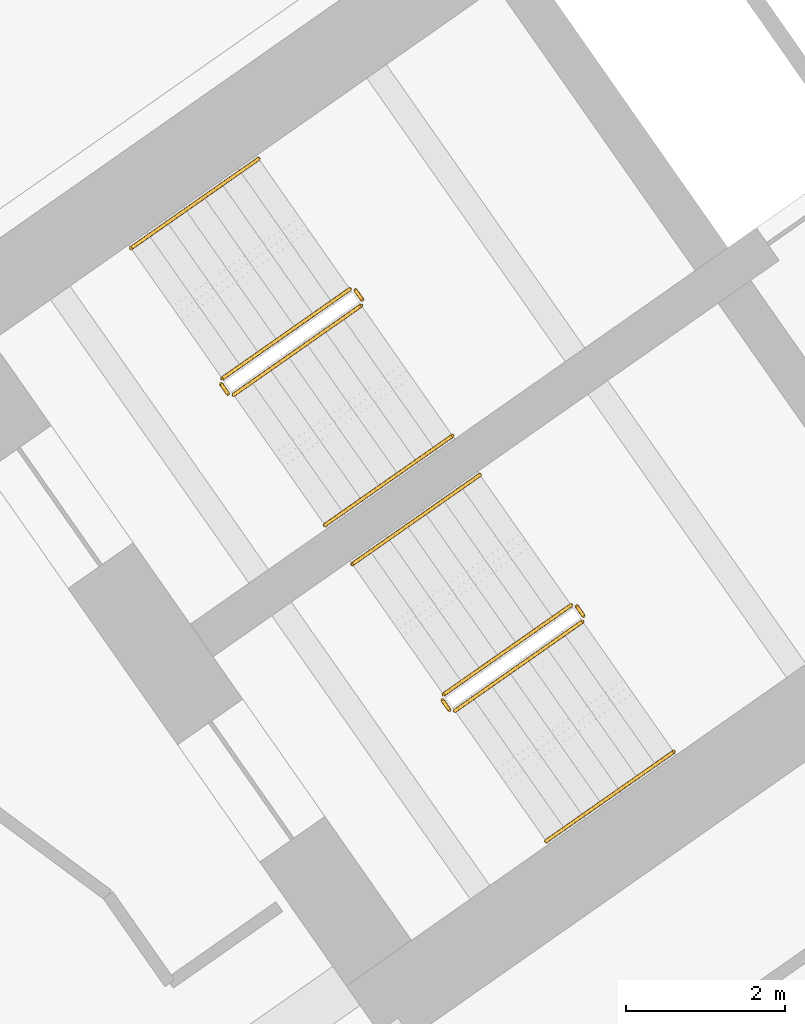
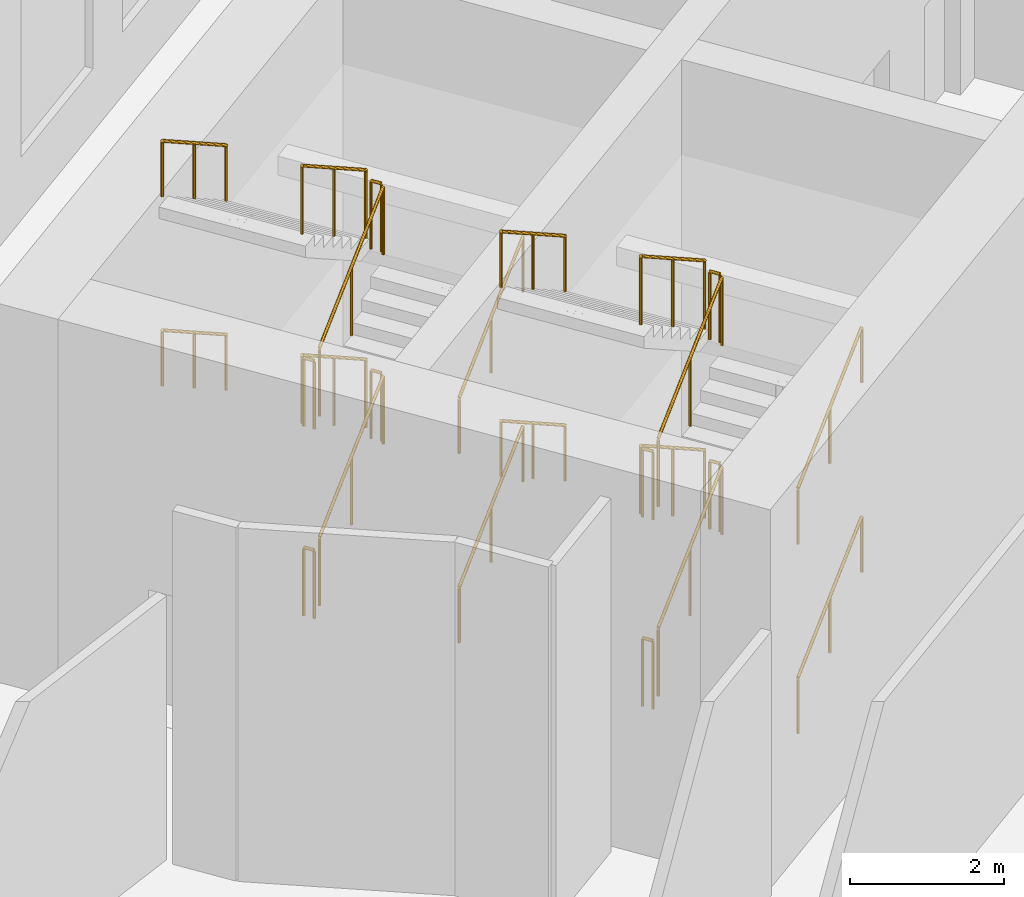
# One storey, part 23 of 25: 24 railings.
"""IFC4 building model written with IfcOpenShell, lengths in metres."""

from ifc_helpers import new_model, si_unit, direction, frame, origin, origin_2d, place, context, subcontext, project, spatial, circle, extrude, material, type_object, element, save


model = new_model("IFC4")

# Units and contexts
model_context = context("Model", 3, precision=1e-05, world=origin(), true_north=direction((0.0, 1.0)))
body_context = subcontext(model_context, "Body", "Model", "MODEL_VIEW")
ifc_project = project(units=[si_unit("LENGTHUNIT", "METRE"), si_unit("AREAUNIT", "SQUARE_METRE"), si_unit("VOLUMEUNIT", "CUBIC_METRE"), si_unit("PLANEANGLEUNIT", "RADIAN"), si_unit("MASSUNIT", "GRAM", prefix="KILO")], contexts=[model_context])

# Site, building, storey
site_placement = place(None, origin())
site = spatial("IfcSite", under=ifc_project, at=site_placement, CompositionType="ELEMENT")
building_placement = place(site_placement, origin())
building = spatial("IfcBuilding", under=site, at=building_placement, Name="Tel Ilan Convention Tower", CompositionType="ELEMENT")
storey_placement = place(building_placement, frame((0.0, 0.0, 26.0)))
storey = spatial("IfcBuildingStorey", under=building, at=storey_placement, Name="L03", CompositionType="ELEMENT", Elevation=26.0)

# Railings
ifc_material_1 = material(Name="Stainless Steel Grade 316", Category="steel")
railing_type_1 = type_object("IfcRailingType", Name="Stainless Steel Stair Guard 1100 mm", PredefinedType="GUARDRAIL", material=ifc_material_1)
railing_1_placement = place(storey_placement, frame((-23.535400390625, -8.056396484375, 0.1875)))
element("IfcRailing", 1, at=railing_1_placement, inside=storey, type_object=railing_type_1, Name="L03 S1 stair guard 1", PredefinedType="GUARDRAIL", context=body_context, shape_type="SweptSolid", body=[
    extrude(circle(Radius=0.02392578125, at=origin_2d()), frame((0.0, 0.0, 1.076171875), z_axis=(0.680615610069, 0.476617226942, 0.556415681224), x_axis=(-0.573612813533, 0.819126571508, 0.0)), (0.0, 0.0, 1.0), 2.35888671875),
    extrude(circle(Radius=0.02099609375, at=origin_2d()), origin(), (0.0, 0.0, 1.0), 1.052001953125),
    extrude(circle(Radius=0.02099609375, at=origin_2d()), frame((0.802734375, 0.56201171875, 0.65625)), (0.0, 0.0, 1.0), 1.052001953125),
    extrude(circle(Radius=0.02099609375, at=origin_2d()), frame((1.60546875, 1.124267578125, 1.3125)), (0.0, 0.0, 1.0), 1.052001953125),
])
railing_2_placement = place(storey_placement, frame((-21.91748046875, -6.862548828125, 1.5)))
element("IfcRailing", 2, at=railing_2_placement, inside=storey, type_object=railing_type_1, Name="L03 S1 stair guard 2", PredefinedType="GUARDRAIL", context=body_context, shape_type="SweptSolid", body=[
    extrude(circle(Radius=0.02392578125, at=origin_2d()), frame((0.0, 0.0, 1.076171875), z_axis=(-0.57368046593, 0.819079192149, 0.0), x_axis=(-0.819079192149, -0.57368046593, 0.0)), (0.0, 0.0, 1.0), 0.150146484375),
    extrude(circle(Radius=0.02099609375, at=origin_2d()), origin(), (0.0, 0.0, 1.0), 1.052001953125),
    extrude(circle(Radius=0.02099609375, at=origin_2d()), frame((-0.086181640625, 0.123046875, 0.0)), (0.0, 0.0, 1.0), 1.052001953125),
])
railing_3_placement = place(storey_placement, frame((-22.0732421875, -6.727294921875, 1.6875)))
element("IfcRailing", 3, at=railing_3_placement, inside=storey, type_object=railing_type_1, Name="L03 S1 stair guard 3", PredefinedType="GUARDRAIL", context=body_context, shape_type="SweptSolid", body=[
    extrude(circle(Radius=0.02392578125, at=origin_2d()), frame((0.0, 0.0, 1.076171875), z_axis=(-0.680615610069, -0.476617226942, 0.556415681224), x_axis=(0.573612813533, -0.819126571508, 0.0)), (0.0, 0.0, 1.0), 2.35888671875),
    extrude(circle(Radius=0.02099609375, at=origin_2d()), origin(), (0.0, 0.0, 1.0), 1.052001953125),
    extrude(circle(Radius=0.02099609375, at=origin_2d()), frame((-0.802734375, -0.56201171875, 0.65625)), (0.0, 0.0, 1.0), 1.052001953125),
    extrude(circle(Radius=0.02099609375, at=origin_2d()), frame((-1.60546875, -1.124267578125, 1.3125)), (0.0, 0.0, 1.0), 1.052001953125),
])
railing_4_placement = place(storey_placement, frame((-23.60498046875, -8.0439453125, 3.0)))
element("IfcRailing", 4, at=railing_4_placement, inside=storey, type_object=railing_type_1, Name="L03 S1 stair guard 4", PredefinedType="GUARDRAIL", context=body_context, shape_type="SweptSolid", body=[
    extrude(circle(Radius=0.02392578125, at=origin_2d()), frame((0.0, 0.0, 1.076171875), z_axis=(-0.574444878118, 0.818543268254, 0.0), x_axis=(-0.818543268254, -0.574444878118, 0.0)), (0.0, 0.0, 1.0), 0.150146484375),
    extrude(circle(Radius=0.02099609375, at=origin_2d()), origin(), (0.0, 0.0, 1.0), 1.052001953125),
    extrude(circle(Radius=0.02099609375, at=origin_2d()), frame((-0.086181640625, 0.122802734375, 0.0)), (0.0, 0.0, 1.0), 1.052001953125),
])
railing_5_placement = place(storey_placement, frame((-23.535400390625, -8.056396484375, 3.1875)))
element("IfcRailing", 5, at=railing_5_placement, inside=storey, type_object=railing_type_1, Name="L03 S1 stair guard 5", PredefinedType="GUARDRAIL", context=body_context, shape_type="SweptSolid", body=[
    extrude(circle(Radius=0.02392578125, at=origin_2d()), frame((0.0, 0.0, 1.076171875), z_axis=(0.680615610069, 0.476617226942, 0.556415681224), x_axis=(-0.573612813533, 0.819126571508, 0.0)), (0.0, 0.0, 1.0), 2.35888671875),
    extrude(circle(Radius=0.02099609375, at=origin_2d()), origin(), (0.0, 0.0, 1.0), 1.052001953125),
    extrude(circle(Radius=0.02099609375, at=origin_2d()), frame((0.802734375, 0.56201171875, 0.65625)), (0.0, 0.0, 1.0), 1.052001953125),
    extrude(circle(Radius=0.02099609375, at=origin_2d()), frame((1.60546875, 1.124267578125, 1.3125)), (0.0, 0.0, 1.0), 1.052001953125),
])
railing_6_placement = place(storey_placement, frame((-21.91748046875, -6.862548828125, 4.5)))
element("IfcRailing", 6, at=railing_6_placement, inside=storey, type_object=railing_type_1, Name="L03 S1 stair guard 6", PredefinedType="GUARDRAIL", context=body_context, shape_type="SweptSolid", body=[
    extrude(circle(Radius=0.02392578125, at=origin_2d()), frame((0.0, 0.0, 1.076171875), z_axis=(-0.57368046593, 0.819079192149, 0.0), x_axis=(-0.819079192149, -0.57368046593, 0.0)), (0.0, 0.0, 1.0), 0.150146484375),
    extrude(circle(Radius=0.02099609375, at=origin_2d()), origin(), (0.0, 0.0, 1.0), 1.052001953125),
    extrude(circle(Radius=0.02099609375, at=origin_2d()), frame((-0.086181640625, 0.123046875, 0.0)), (0.0, 0.0, 1.0), 1.052001953125),
])
railing_7_placement = place(storey_placement, frame((-22.0732421875, -6.727294921875, 4.6875)))
element("IfcRailing", 7, at=railing_7_placement, inside=storey, type_object=railing_type_1, Name="L03 S1 stair guard 7", PredefinedType="GUARDRAIL", context=body_context, shape_type="SweptSolid", body=[
    extrude(circle(Radius=0.02392578125, at=origin_2d()), frame((0.0, 0.0, 1.076171875), z_axis=(-0.680615610069, -0.476617226942, 0.556415681224), x_axis=(0.573612813533, -0.819126571508, 0.0)), (0.0, 0.0, 1.0), 2.35888671875),
    extrude(circle(Radius=0.02099609375, at=origin_2d()), origin(), (0.0, 0.0, 1.0), 1.052001953125),
    extrude(circle(Radius=0.02099609375, at=origin_2d()), frame((-0.802734375, -0.56201171875, 0.65625)), (0.0, 0.0, 1.0), 1.052001953125),
    extrude(circle(Radius=0.02099609375, at=origin_2d()), frame((-1.60546875, -1.124267578125, 1.3125)), (0.0, 0.0, 1.0), 1.052001953125),
])
railing_8_placement = place(storey_placement, frame((-23.60498046875, -8.0439453125, 0.0)))
element("IfcRailing", 8, at=railing_8_placement, inside=storey, type_object=railing_type_1, Name="L03 S1 stair guard 8", PredefinedType="GUARDRAIL", context=body_context, shape_type="SweptSolid", body=[
    extrude(circle(Radius=0.02392578125, at=origin_2d()), frame((0.0, 0.0, 1.076171875), z_axis=(-0.574444878118, 0.818543268254, 0.0), x_axis=(-0.818543268254, -0.574444878118, 0.0)), (0.0, 0.0, 1.0), 0.150146484375),
    extrude(circle(Radius=0.02099609375, at=origin_2d()), origin(), (0.0, 0.0, 1.0), 1.052001953125),
    extrude(circle(Radius=0.02099609375, at=origin_2d()), frame((-0.086181640625, 0.122802734375, 0.0)), (0.0, 0.0, 1.0), 1.052001953125),
])
railing_9_placement = place(storey_placement, frame((-20.753662109375, -12.029296875, 0.1875)))
element("IfcRailing", 9, at=railing_9_placement, inside=storey, type_object=railing_type_1, Name="L03 S2 stair guard 1", PredefinedType="GUARDRAIL", context=body_context, shape_type="SweptSolid", body=[
    extrude(circle(Radius=0.02392578125, at=origin_2d()), frame((0.0, 0.0, 1.076171875), z_axis=(0.680671159075, 0.476583653268, 0.55637648642), x_axis=(-0.573554290663, 0.819167550421, 0.0)), (0.0, 0.0, 1.0), 2.359130859375),
    extrude(circle(Radius=0.02099609375, at=origin_2d()), origin(), (0.0, 0.0, 1.0), 1.052001953125),
    extrude(circle(Radius=0.02099609375, at=origin_2d()), frame((0.802734375, 0.56201171875, 0.65625)), (0.0, 0.0, 1.0), 1.052001953125),
    extrude(circle(Radius=0.02099609375, at=origin_2d()), frame((1.605712890625, 1.124267578125, 1.3125)), (0.0, 0.0, 1.0), 1.052001953125),
])
railing_10_placement = place(storey_placement, frame((-19.1357421875, -10.83544921875, 1.5)))
element("IfcRailing", 10, at=railing_10_placement, inside=storey, type_object=railing_type_1, Name="L03 S2 stair guard 2", PredefinedType="GUARDRAIL", context=body_context, shape_type="SweptSolid", body=[
    extrude(circle(Radius=0.02392578125, at=origin_2d()), frame((0.0, 0.0, 1.076171875), z_axis=(-0.572588637393, 0.819842821722, 0.0), x_axis=(-0.819842821722, -0.572588637393, 0.0)), (0.0, 0.0, 1.0), 0.150146484375),
    extrude(circle(Radius=0.02099609375, at=origin_2d()), origin(), (0.0, 0.0, 1.0), 1.052001953125),
    extrude(circle(Radius=0.02099609375, at=origin_2d()), frame((-0.0859375, 0.123046875, 0.0)), (0.0, 0.0, 1.0), 1.052001953125),
])
railing_11_placement = place(storey_placement, frame((-19.29150390625, -10.7001953125, 1.6875)))
element("IfcRailing", 11, at=railing_11_placement, inside=storey, type_object=railing_type_1, Name="L03 S2 stair guard 3", PredefinedType="GUARDRAIL", context=body_context, shape_type="SweptSolid", body=[
    extrude(circle(Radius=0.02392578125, at=origin_2d()), frame((0.0, 0.0, 1.076171875), z_axis=(-0.680615610069, -0.476617226942, 0.556415681224), x_axis=(0.573612813533, -0.819126571508, 0.0)), (0.0, 0.0, 1.0), 2.35888671875),
    extrude(circle(Radius=0.02099609375, at=origin_2d()), origin(), (0.0, 0.0, 1.0), 1.052001953125),
    extrude(circle(Radius=0.02099609375, at=origin_2d()), frame((-0.802734375, -0.56201171875, 0.65625)), (0.0, 0.0, 1.0), 1.052001953125),
    extrude(circle(Radius=0.02099609375, at=origin_2d()), frame((-1.60546875, -1.124267578125, 1.3125)), (0.0, 0.0, 1.0), 1.052001953125),
])
railing_12_placement = place(storey_placement, frame((-20.8232421875, -12.016845703125, 3.0)))
element("IfcRailing", 12, at=railing_12_placement, inside=storey, type_object=railing_type_1, Name="L03 S2 stair guard 4", PredefinedType="GUARDRAIL", context=body_context, shape_type="SweptSolid", body=[
    extrude(circle(Radius=0.02392578125, at=origin_2d()), frame((0.0, 0.0, 1.076171875), z_axis=(-0.573353020881, 0.819308436089, 0.0), x_axis=(-0.819308436089, -0.573353020881, 0.0)), (0.0, 0.0, 1.0), 0.14990234375),
    extrude(circle(Radius=0.02099609375, at=origin_2d()), origin(), (0.0, 0.0, 1.0), 1.052001953125),
    extrude(circle(Radius=0.02099609375, at=origin_2d()), frame((-0.0859375, 0.122802734375, 0.0)), (0.0, 0.0, 1.0), 1.052001953125),
])
railing_13_placement = place(storey_placement, frame((-20.753662109375, -12.029296875, 3.1875)))
element("IfcRailing", 13, at=railing_13_placement, inside=storey, type_object=railing_type_1, Name="L03 S2 stair guard 5", PredefinedType="GUARDRAIL", context=body_context, shape_type="SweptSolid", body=[
    extrude(circle(Radius=0.02392578125, at=origin_2d()), frame((0.0, 0.0, 1.076171875), z_axis=(0.680671159075, 0.476583653268, 0.55637648642), x_axis=(-0.573554290663, 0.819167550421, 0.0)), (0.0, 0.0, 1.0), 2.359130859375),
    extrude(circle(Radius=0.02099609375, at=origin_2d()), origin(), (0.0, 0.0, 1.0), 1.052001953125),
    extrude(circle(Radius=0.02099609375, at=origin_2d()), frame((0.802734375, 0.56201171875, 0.65625)), (0.0, 0.0, 1.0), 1.052001953125),
    extrude(circle(Radius=0.02099609375, at=origin_2d()), frame((1.605712890625, 1.124267578125, 1.3125)), (0.0, 0.0, 1.0), 1.052001953125),
])
railing_14_placement = place(storey_placement, frame((-19.1357421875, -10.83544921875, 4.5)))
element("IfcRailing", 14, at=railing_14_placement, inside=storey, type_object=railing_type_1, Name="L03 S2 stair guard 6", PredefinedType="GUARDRAIL", context=body_context, shape_type="SweptSolid", body=[
    extrude(circle(Radius=0.02392578125, at=origin_2d()), frame((0.0, 0.0, 1.076171875), z_axis=(-0.572588637393, 0.819842821722, 0.0), x_axis=(-0.819842821722, -0.572588637393, 0.0)), (0.0, 0.0, 1.0), 0.150146484375),
    extrude(circle(Radius=0.02099609375, at=origin_2d()), origin(), (0.0, 0.0, 1.0), 1.052001953125),
    extrude(circle(Radius=0.02099609375, at=origin_2d()), frame((-0.0859375, 0.123046875, 0.0)), (0.0, 0.0, 1.0), 1.052001953125),
])
railing_15_placement = place(storey_placement, frame((-19.29150390625, -10.7001953125, 4.6875)))
element("IfcRailing", 15, at=railing_15_placement, inside=storey, type_object=railing_type_1, Name="L03 S2 stair guard 7", PredefinedType="GUARDRAIL", context=body_context, shape_type="SweptSolid", body=[
    extrude(circle(Radius=0.02392578125, at=origin_2d()), frame((0.0, 0.0, 1.076171875), z_axis=(-0.680615610069, -0.476617226942, 0.556415681224), x_axis=(0.573612813533, -0.819126571508, 0.0)), (0.0, 0.0, 1.0), 2.35888671875),
    extrude(circle(Radius=0.02099609375, at=origin_2d()), origin(), (0.0, 0.0, 1.0), 1.052001953125),
    extrude(circle(Radius=0.02099609375, at=origin_2d()), frame((-0.802734375, -0.56201171875, 0.65625)), (0.0, 0.0, 1.0), 1.052001953125),
    extrude(circle(Radius=0.02099609375, at=origin_2d()), frame((-1.60546875, -1.124267578125, 1.3125)), (0.0, 0.0, 1.0), 1.052001953125),
])
railing_16_placement = place(storey_placement, frame((-20.8232421875, -12.016845703125, 0.0)))
element("IfcRailing", 16, at=railing_16_placement, inside=storey, type_object=railing_type_1, Name="L03 S2 stair guard 8", PredefinedType="GUARDRAIL", context=body_context, shape_type="SweptSolid", body=[
    extrude(circle(Radius=0.02392578125, at=origin_2d()), frame((0.0, 0.0, 1.076171875), z_axis=(-0.573353020881, 0.819308436089, 0.0), x_axis=(-0.819308436089, -0.573353020881, 0.0)), (0.0, 0.0, 1.0), 0.14990234375),
    extrude(circle(Radius=0.02099609375, at=origin_2d()), origin(), (0.0, 0.0, 1.0), 1.052001953125),
    extrude(circle(Radius=0.02099609375, at=origin_2d()), frame((-0.0859375, 0.122802734375, 0.0)), (0.0, 0.0, 1.0), 1.052001953125),
])
ifc_material_2 = material(Name="Stainless Steel Grade 316", Category="steel")
railing_type_2 = type_object("IfcRailingType", Name="Stainless Steel Stair Handrail 900 mm", PredefinedType="HANDRAIL", material=ifc_material_2)
railing_17_placement = place(storey_placement, frame((-22.38818359375, -9.694580078125, 0.1875)))
element("IfcRailing", 17, at=railing_17_placement, inside=storey, type_object=railing_type_2, Name="L03 S1 stair handrail 1", PredefinedType="HANDRAIL", context=body_context, shape_type="SweptSolid", body=[
    extrude(circle(Radius=0.02392578125, at=origin_2d()), frame((0.0, 0.0, 0.8759765625), z_axis=(0.680615610069, 0.476617226942, 0.556415681224), x_axis=(-0.573612813533, 0.819126571508, 0.0)), (0.0, 0.0, 1.0), 2.35888671875),
    extrude(circle(Radius=0.02099609375, at=origin_2d()), origin(), (0.0, 0.0, 1.0), 0.851806640625),
    extrude(circle(Radius=0.02099609375, at=origin_2d()), frame((0.802734375, 0.56201171875, 0.65625)), (0.0, 0.0, 1.0), 0.851806640625),
    extrude(circle(Radius=0.02099609375, at=origin_2d()), frame((1.60546875, 1.124267578125, 1.3125)), (0.0, 0.0, 1.0), 0.851806640625),
])
railing_18_placement = place(storey_placement, frame((-23.220458984375, -5.089111328125, 1.6875)))
element("IfcRailing", 18, at=railing_18_placement, inside=storey, type_object=railing_type_2, Name="L03 S1 stair handrail 2", PredefinedType="HANDRAIL", context=body_context, shape_type="SweptSolid", body=[
    extrude(circle(Radius=0.02392578125, at=origin_2d()), frame((0.0, 0.0, 0.8759765625), z_axis=(-0.680649183577, -0.476537232541, 0.55644312818), x_axis=(0.573529226717, -0.819185098803, 0.0)), (0.0, 0.0, 1.0), 2.358642578125),
    extrude(circle(Radius=0.02099609375, at=origin_2d()), origin(), (0.0, 0.0, 1.0), 0.851806640625),
    extrude(circle(Radius=0.02099609375, at=origin_2d()), frame((-0.802734375, -0.56201171875, 0.65625)), (0.0, 0.0, 1.0), 0.851806640625),
    extrude(circle(Radius=0.02099609375, at=origin_2d()), frame((-1.60546875, -1.1240234375, 1.3125)), (0.0, 0.0, 1.0), 0.851806640625),
])
railing_19_placement = place(storey_placement, frame((-22.38818359375, -9.694580078125, 3.1875)))
element("IfcRailing", 19, at=railing_19_placement, inside=storey, type_object=railing_type_2, Name="L03 S1 stair handrail 3", PredefinedType="HANDRAIL", context=body_context, shape_type="SweptSolid", body=[
    extrude(circle(Radius=0.02392578125, at=origin_2d()), frame((0.0, 0.0, 0.8759765625), z_axis=(0.680615610069, 0.476617226942, 0.556415681224), x_axis=(-0.573612813533, 0.819126571508, 0.0)), (0.0, 0.0, 1.0), 2.35888671875),
    extrude(circle(Radius=0.02099609375, at=origin_2d()), origin(), (0.0, 0.0, 1.0), 0.851806640625),
    extrude(circle(Radius=0.02099609375, at=origin_2d()), frame((0.802734375, 0.56201171875, 0.65625)), (0.0, 0.0, 1.0), 0.851806640625),
    extrude(circle(Radius=0.02099609375, at=origin_2d()), frame((1.60546875, 1.124267578125, 1.3125)), (0.0, 0.0, 1.0), 0.851806640625),
])
railing_20_placement = place(storey_placement, frame((-23.220458984375, -5.089111328125, 4.6875)))
element("IfcRailing", 20, at=railing_20_placement, inside=storey, type_object=railing_type_2, Name="L03 S1 stair handrail 4", PredefinedType="HANDRAIL", context=body_context, shape_type="SweptSolid", body=[
    extrude(circle(Radius=0.02392578125, at=origin_2d()), frame((0.0, 0.0, 0.8759765625), z_axis=(-0.680649183577, -0.476537232541, 0.55644312818), x_axis=(0.573529226717, -0.819185098803, 0.0)), (0.0, 0.0, 1.0), 2.358642578125),
    extrude(circle(Radius=0.02099609375, at=origin_2d()), origin(), (0.0, 0.0, 1.0), 0.851806640625),
    extrude(circle(Radius=0.02099609375, at=origin_2d()), frame((-0.802734375, -0.56201171875, 0.65625)), (0.0, 0.0, 1.0), 0.851806640625),
    extrude(circle(Radius=0.02099609375, at=origin_2d()), frame((-1.60546875, -1.1240234375, 1.3125)), (0.0, 0.0, 1.0), 0.851806640625),
])
railing_21_placement = place(storey_placement, frame((-19.6064453125, -13.66748046875, 0.1875)))
element("IfcRailing", 21, at=railing_21_placement, inside=storey, type_object=railing_type_2, Name="L03 S2 stair handrail 1", PredefinedType="HANDRAIL", context=body_context, shape_type="SweptSolid", body=[
    extrude(circle(Radius=0.02392578125, at=origin_2d()), frame((0.0, 0.0, 0.8759765625), z_axis=(0.680615610069, 0.476617226942, 0.556415681224), x_axis=(-0.573612813533, 0.819126571508, 0.0)), (0.0, 0.0, 1.0), 2.35888671875),
    extrude(circle(Radius=0.02099609375, at=origin_2d()), origin(), (0.0, 0.0, 1.0), 0.851806640625),
    extrude(circle(Radius=0.02099609375, at=origin_2d()), frame((0.802734375, 0.56201171875, 0.65625)), (0.0, 0.0, 1.0), 0.851806640625),
    extrude(circle(Radius=0.02099609375, at=origin_2d()), frame((1.60546875, 1.124267578125, 1.3125)), (0.0, 0.0, 1.0), 0.851806640625),
])
railing_22_placement = place(storey_placement, frame((-20.4384765625, -9.06201171875, 1.6875)))
element("IfcRailing", 22, at=railing_22_placement, inside=storey, type_object=railing_type_2, Name="L03 S2 stair handrail 2", PredefinedType="HANDRAIL", context=body_context, shape_type="SweptSolid", body=[
    extrude(circle(Radius=0.02392578125, at=origin_2d()), frame((0.0, 0.0, 0.8759765625), z_axis=(-0.680704730592, -0.47650366119, 0.556403927576), x_axis=(0.573470704013, -0.8192260687, 0.0)), (0.0, 0.0, 1.0), 2.35888671875),
    extrude(circle(Radius=0.02099609375, at=origin_2d()), origin(), (0.0, 0.0, 1.0), 0.851806640625),
    extrude(circle(Radius=0.02099609375, at=origin_2d()), frame((-0.802734375, -0.56201171875, 0.65625)), (0.0, 0.0, 1.0), 0.851806640625),
    extrude(circle(Radius=0.02099609375, at=origin_2d()), frame((-1.605712890625, -1.1240234375, 1.3125)), (0.0, 0.0, 1.0), 0.851806640625),
])
railing_23_placement = place(storey_placement, frame((-19.6064453125, -13.66748046875, 3.1875)))
element("IfcRailing", 23, at=railing_23_placement, inside=storey, type_object=railing_type_2, Name="L03 S2 stair handrail 3", PredefinedType="HANDRAIL", context=body_context, shape_type="SweptSolid", body=[
    extrude(circle(Radius=0.02392578125, at=origin_2d()), frame((0.0, 0.0, 0.8759765625), z_axis=(0.680615610069, 0.476617226942, 0.556415681224), x_axis=(-0.573612813533, 0.819126571508, 0.0)), (0.0, 0.0, 1.0), 2.35888671875),
    extrude(circle(Radius=0.02099609375, at=origin_2d()), origin(), (0.0, 0.0, 1.0), 0.851806640625),
    extrude(circle(Radius=0.02099609375, at=origin_2d()), frame((0.802734375, 0.56201171875, 0.65625)), (0.0, 0.0, 1.0), 0.851806640625),
    extrude(circle(Radius=0.02099609375, at=origin_2d()), frame((1.60546875, 1.124267578125, 1.3125)), (0.0, 0.0, 1.0), 0.851806640625),
])
railing_24_placement = place(storey_placement, frame((-20.4384765625, -9.06201171875, 4.6875)))
element("IfcRailing", 24, at=railing_24_placement, inside=storey, type_object=railing_type_2, Name="L03 S2 stair handrail 4", PredefinedType="HANDRAIL", context=body_context, shape_type="SweptSolid", body=[
    extrude(circle(Radius=0.02392578125, at=origin_2d()), frame((0.0, 0.0, 0.8759765625), z_axis=(-0.680704730592, -0.47650366119, 0.556403927576), x_axis=(0.573470704013, -0.8192260687, 0.0)), (0.0, 0.0, 1.0), 2.35888671875),
    extrude(circle(Radius=0.02099609375, at=origin_2d()), origin(), (0.0, 0.0, 1.0), 0.851806640625),
    extrude(circle(Radius=0.02099609375, at=origin_2d()), frame((-0.802734375, -0.56201171875, 0.65625)), (0.0, 0.0, 1.0), 0.851806640625),
    extrude(circle(Radius=0.02099609375, at=origin_2d()), frame((-1.605712890625, -1.1240234375, 1.3125)), (0.0, 0.0, 1.0), 0.851806640625),
])

save(model, "model.ifc")
